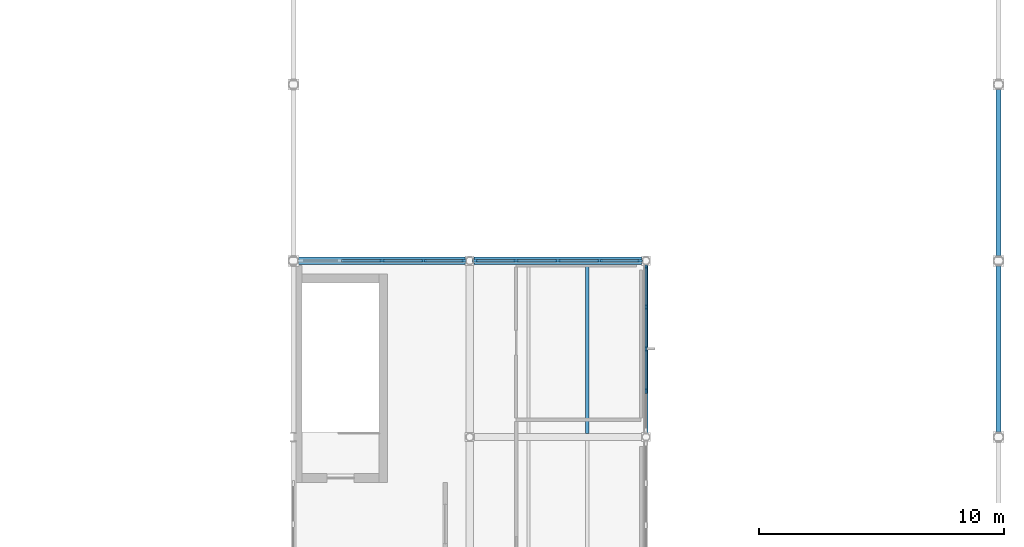
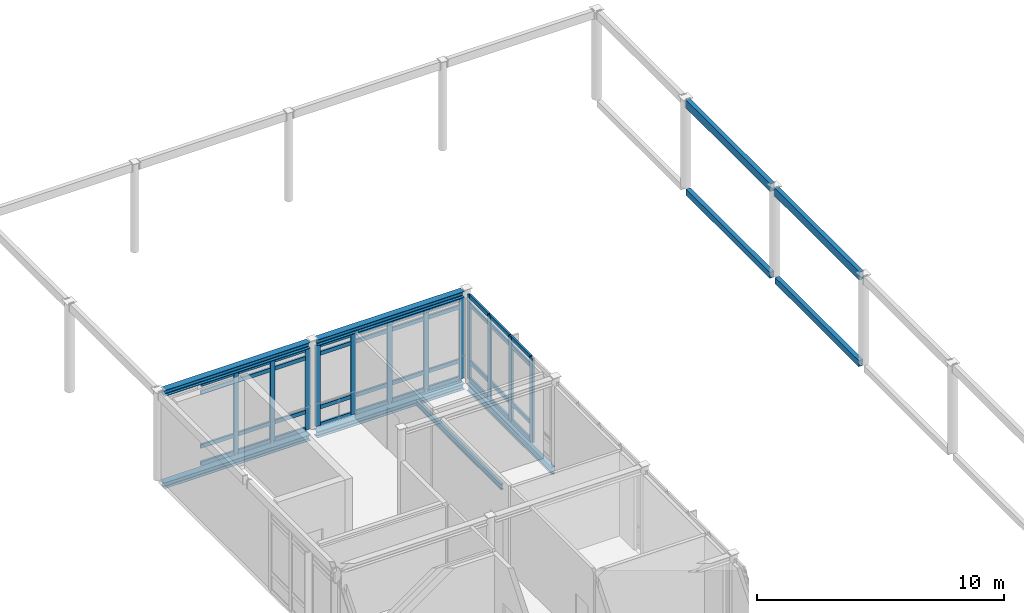
# One storey, part 26 of 72: 52 members, 10 beams, 3 elements without a shape of their own.
"""IFC4 building model written with IfcOpenShell, lengths in metres."""

from ifc_helpers import new_model, si_unit, direction, frame, origin, origin_2d, place, context, subcontext, project, spatial, rectangle, hollow_rectangle, i_section, extrude, material, layer, layer_set, material_profile, profile_set, type_object, element, aggregate, save


model = new_model("IFC4")

# Units and contexts
model_context = context("Model", 3, precision=1e-05, world=origin(), true_north=direction((0.0, 1.0)))
body_context = subcontext(model_context, "Body", "Model", "MODEL_VIEW")
ifc_project = project(units=[si_unit("LENGTHUNIT", "METRE"), si_unit("AREAUNIT", "SQUARE_METRE"), si_unit("VOLUMEUNIT", "CUBIC_METRE"), si_unit("PLANEANGLEUNIT", "RADIAN"), si_unit("MASSUNIT", "GRAM", prefix="KILO")], contexts=[model_context])

# Site, building, storey
site_placement = place(None, origin())
site = spatial("IfcSite", under=ifc_project, at=site_placement, CompositionType="ELEMENT")
building_placement = place(site_placement, origin())
building = spatial("IfcBuilding", under=site, at=building_placement, Name="Zarrinpeak Specialist Clinic", CompositionType="ELEMENT")
storey_placement = place(building_placement, frame((0.0, 0.0, 9.60009765625)))
storey = spatial("IfcBuildingStorey", under=building, at=storey_placement, Name="L02", CompositionType="ELEMENT", Elevation=9.60009765625)

# Beams
ifc_material_1 = material(Name="Steel S355", Category="steel")
ifc_material_profile_1 = material_profile(ifc_material_1, i_section(OverallWidth=0.300048828125, OverallDepth=0.2900390625, WebThickness=0.008544921875, FlangeThickness=0.013916015625, FilletRadius=0.027099609375, at=origin_2d()), Name="HEA 300")
ifc_profile_set_1 = profile_set([ifc_material_profile_1], Name="Steel S355")
beam_type_1 = type_object("IfcBeamType", Name="BM-HEA300", PredefinedType="BEAM", material=ifc_profile_set_1)
beam_1_placement = place(storey_placement, frame((93.80126953125, 57.60009765625, -0.360107421875), z_axis=(1.0, 0.0, 0.0), x_axis=(0.0, 1.0, 0.0)))
element("IfcBeam", 1, at=beam_1_placement, inside=storey, type_object=beam_type_1, Name="L02 Primary Floor Girder BM-L02-X1185", PredefinedType="BEAM", context=body_context, shape_type="SweptSolid", body=[
    extrude(i_section(OverallWidth=0.300048828125, OverallDepth=0.2900390625, WebThickness=0.008544921875, FlangeThickness=0.013916015625, FilletRadius=0.027099609375, at=origin_2d()), origin(), (0.0, 0.0, 1.0), 6.838623046875),
])
beam_2_placement = place(storey_placement, frame((100.9599609375, 57.60009765625, -0.360107421875), z_axis=(1.0, 0.0, 0.0), x_axis=(0.0, 1.0, 0.0)))
element("IfcBeam", 2, at=beam_2_placement, inside=storey, type_object=beam_type_1, Name="L02 Primary Floor Girder BM-L02-X1186", PredefinedType="BEAM", context=body_context, shape_type="SweptSolid", body=[
    extrude(i_section(OverallWidth=0.300048828125, OverallDepth=0.2900390625, WebThickness=0.008544921875, FlangeThickness=0.013916015625, FilletRadius=0.027099609375, at=origin_2d()), origin(), (0.0, 0.0, 1.0), 6.880126953125),
])
for number, where, z_axis, x_axis, name in (
    (3, (93.7900390625, 57.60009765625, 4.199951171875), (1.0, 0.0, 0.0), (0.0, 1.0, 0.0), "V3 Gallery Top Tie Beam BM-V3-TOP-2571"),
    (4, (100.989990234375, 57.60009765625, 4.199951171875), (1.0, 0.0, 0.0), (0.0, 1.0, 0.0), "V3 Gallery Top Tie Beam BM-V3-TOP-2572"),
):
    element("IfcBeam", number, at=place(storey_placement, frame(where, z_axis=z_axis, x_axis=x_axis)), inside=storey, type_object=beam_type_1, Name=name, PredefinedType="BEAM", context=body_context, shape_type="SweptSolid", body=[
        extrude(i_section(OverallWidth=0.300048828125, OverallDepth=0.2900390625, WebThickness=0.008544921875, FlangeThickness=0.013916015625, FilletRadius=0.027099609375, at=origin_2d()), origin(), (0.0, 0.0, 1.0), 6.820068359375),
    ])
ifc_material_profile_2 = material_profile(ifc_material_1, i_section(OverallWidth=0.135009765625, OverallDepth=0.27001953125, WebThickness=0.006591796875, FlangeThickness=0.01025390625, FilletRadius=0.014892578125, at=origin_2d()), Name="IPE 270")
ifc_profile_set_2 = profile_set([ifc_material_profile_2], Name="Steel S355")
beam_type_2 = type_object("IfcBeamType", Name="BM-JST270", PredefinedType="JOIST", material=ifc_profile_set_2)
beam_3_placement = place(storey_placement, frame((105.60009765625, 50.548095703125, -0.35009765625), z_axis=(0.0, 1.0, 0.0), x_axis=(-1.0, 0.0, 0.0)))
element("IfcBeam", 5, at=beam_3_placement, inside=storey, type_object=beam_type_2, Name="L02 Composite Floor Joist JST-L02-1422", PredefinedType="JOIST", context=body_context, shape_type="SweptSolid", body=[
    extrude(i_section(OverallWidth=0.135009765625, OverallDepth=0.27001953125, WebThickness=0.006591796875, FlangeThickness=0.01025390625, FilletRadius=0.014892578125, at=origin_2d()), origin(), (0.0, 0.0, 1.0), 6.90380859375),
])
ifc_material_profile_3 = material_profile(ifc_material_1, hollow_rectangle(XDim=0.199951171875, YDim=0.39990234375, WallThickness=0.01611328125, at=origin_2d()), Name="RHS 400x200x16.0")
ifc_profile_set_3 = profile_set([ifc_material_profile_3], Name="Steel S355")
beam_type_3 = type_object("IfcBeamType", Name="BM-RING400", PredefinedType="BEAM", material=ifc_profile_set_3)
beam_4_placement = place(storey_placement, frame((122.39990234375, 50.580078125, 4.199951171875), z_axis=(0.0, 1.0, 0.0), x_axis=(-1.0, 0.0, 0.0)))
element("IfcBeam", 6, at=beam_4_placement, inside=storey, type_object=beam_type_3, Name="V3 Gridshell Perimeter Ring Beam RB-V3-Y2564", PredefinedType="BEAM", context=body_context, shape_type="SweptSolid", body=[
    extrude(hollow_rectangle(XDim=0.199951171875, YDim=0.39990234375, WallThickness=0.01611328125, at=origin_2d()), origin(), (0.0, 0.0, 1.0), 6.83984375),
])
beam_5_placement = place(storey_placement, frame((122.39990234375, 57.780029296875, 4.199951171875), z_axis=(0.0, 1.0, 0.0), x_axis=(-1.0, 0.0, 0.0)))
element("IfcBeam", 7, at=beam_5_placement, inside=storey, type_object=beam_type_3, Name="V3 Gridshell Perimeter Ring Beam RB-V3-Y2565", PredefinedType="BEAM", context=body_context, shape_type="SweptSolid", body=[
    extrude(hollow_rectangle(XDim=0.199951171875, YDim=0.39990234375, WallThickness=0.01611328125, at=origin_2d()), origin(), (0.0, 0.0, 1.0), 6.840087890625),
])
ifc_material_profile_4 = material_profile(ifc_material_1, hollow_rectangle(XDim=0.199951171875, YDim=0.300048828125, WallThickness=0.012451171875, at=origin_2d()), Name="RHS 300x200x12.5")
ifc_profile_set_4 = profile_set([ifc_material_profile_4], Name="Steel S355")
beam_type_4 = type_object("IfcBeamType", Name="BM-SP300", PredefinedType="SPANDREL", material=ifc_profile_set_4)
beam_6_placement = place(storey_placement, frame((122.39990234375, 50.610107421875, -0.150146484375), z_axis=(0.0, 1.0, 0.0), x_axis=(-1.0, 0.0, 0.0)))
element("IfcBeam", 8, at=beam_6_placement, inside=storey, type_object=beam_type_4, Name="L02 V3 Hall East Spandrel Girt Y2544", PredefinedType="SPANDREL", context=body_context, shape_type="SweptSolid", body=[
    extrude(hollow_rectangle(XDim=0.199951171875, YDim=0.300048828125, WallThickness=0.012451171875, at=origin_2d()), origin(), (0.0, 0.0, 1.0), 6.77978515625),
])
beam_7_placement = place(storey_placement, frame((122.39990234375, 57.81005859375, -0.150146484375), z_axis=(0.0, 1.0, 0.0), x_axis=(-1.0, 0.0, 0.0)))
element("IfcBeam", 9, at=beam_7_placement, inside=storey, type_object=beam_type_4, Name="L02 V3 Hall East Spandrel Girt Y2545", PredefinedType="SPANDREL", context=body_context, shape_type="SweptSolid", body=[
    extrude(hollow_rectangle(XDim=0.199951171875, YDim=0.300048828125, WallThickness=0.012451171875, at=origin_2d()), origin(), (0.0, 0.0, 1.0), 6.780029296875),
])
ifc_material_profile_5 = material_profile(ifc_material_1, i_section(OverallWidth=0.169921875, OverallDepth=0.360107421875, WebThickness=0.008056640625, FlangeThickness=0.0126953125, FilletRadius=0.01806640625, at=origin_2d()), Name="IPE 360")
ifc_profile_set_5 = profile_set([ifc_material_profile_5], Name="Steel S355")
beam_type_5 = type_object("IfcBeamType", Name="BM-SP360", PredefinedType="SPANDREL", material=ifc_profile_set_5)
beam_8_placement = place(storey_placement, frame((108.0, 50.559814453125, -0.39501953125), z_axis=(0.0, 1.0, 0.0), x_axis=(-1.0, 0.0, 0.0)))
element("IfcBeam", 10, at=beam_8_placement, inside=storey, type_object=beam_type_5, Name="L02 Perimeter Spandrel Beam BM-L02-Y1330", PredefinedType="SPANDREL", context=body_context, shape_type="SweptSolid", body=[
    extrude(i_section(OverallWidth=0.169921875, OverallDepth=0.360107421875, WebThickness=0.008056640625, FlangeThickness=0.0126953125, FilletRadius=0.01806640625, at=origin_2d()), origin(), (0.0, 0.0, 1.0), 6.88037109375),
])

# Curtain wall, members
ifc_material_2 = material(Name="Anodised Aluminium Alloy 6063-T6", Category="aluminium")
ifc_layer = layer(ifc_material_2, 0.199951171875)
ifc_layer_set = layer_set([ifc_layer], Name="Anodised Aluminium Alloy 6063-T6")
curtain_wall_type = type_object("IfcCurtainWallType", Name="CW-HALL", PredefinedType="NOTDEFINED", material=ifc_layer_set)
curtain_wall_1_placement = place(storey_placement, origin())
curtain_wall_1 = element("IfcCurtainWall", 11, at=curtain_wall_1_placement, inside=storey, type_object=curtain_wall_type, Name="L02 V3 Unitised Curtain Wall CW-L02-V3-113", PredefinedType="NOTDEFINED")
ifc_material_profile_6 = material_profile(ifc_material_2, rectangle(XDim=0.090087890625, YDim=0.219970703125, at=origin_2d()), Name="ALU 90x220")
ifc_profile_set_6 = profile_set([ifc_material_profile_6], Name="Anodised Aluminium Alloy 6063-T6")
member_type_1 = type_object("IfcMemberType", Name="CWM-90", PredefinedType="MULLION", material=ifc_profile_set_6)
member_1_placement = place(storey_placement, frame((100.568115234375, 57.60009765625, 0.0), z_axis=(0.0, 0.0, 1.0), x_axis=(0.0, -1.0, 0.0)))
member_1 = element("IfcMember", 12, at=member_1_placement, type_object=member_type_1, Name="CW-02 mullion 1", PredefinedType="MULLION", context=body_context, shape_type="SweptSolid", body=[
    extrude(rectangle(XDim=0.090087890625, YDim=0.219970703125, at=origin_2d()), origin(), (0.0, 0.0, 1.0), 4.0048828125),
])
member_2_placement = place(storey_placement, frame((98.9169921875, 57.60009765625, 0.0), z_axis=(0.0, 0.0, 1.0), x_axis=(0.0, -1.0, 0.0)))
member_2 = element("IfcMember", 13, at=member_2_placement, type_object=member_type_1, Name="CW-02 mullion 2", PredefinedType="MULLION", context=body_context, shape_type="SweptSolid", body=[
    extrude(rectangle(XDim=0.090087890625, YDim=0.219970703125, at=origin_2d()), origin(), (0.0, 0.0, 1.0), 4.0048828125),
])
member_3_placement = place(storey_placement, frame((97.220703125, 57.60009765625, 0.0), z_axis=(0.0, 0.0, 1.0), x_axis=(0.0, -1.0, 0.0)))
member_3 = element("IfcMember", 14, at=member_3_placement, type_object=member_type_1, Name="CW-02 mullion 3", PredefinedType="MULLION", context=body_context, shape_type="SweptSolid", body=[
    extrude(rectangle(XDim=0.090087890625, YDim=0.219970703125, at=origin_2d()), origin(), (0.0, 0.0, 1.0), 4.0048828125),
])

curtain_wall_2_placement = place(storey_placement, origin())
curtain_wall_2 = element("IfcCurtainWall", 15, at=curtain_wall_2_placement, inside=storey, type_object=curtain_wall_type, Name="L02 V3 Unitised Curtain Wall CW-L02-V3-114", PredefinedType="NOTDEFINED")
member_4_placement = place(storey_placement, frame((107.76806640625, 57.60009765625, 0.0), z_axis=(0.0, 0.0, 1.0), x_axis=(0.0, -1.0, 0.0)))
member_4 = element("IfcMember", 16, at=member_4_placement, type_object=member_type_1, Name="CW-02 mullion 1", PredefinedType="MULLION", context=body_context, shape_type="SweptSolid", body=[
    extrude(rectangle(XDim=0.090087890625, YDim=0.219970703125, at=origin_2d()), origin(), (0.0, 0.0, 1.0), 4.0048828125),
])
member_5_placement = place(storey_placement, frame((106.1064453125, 57.60009765625, 0.0), z_axis=(0.0, 0.0, 1.0), x_axis=(0.0, -1.0, 0.0)))
member_5 = element("IfcMember", 17, at=member_5_placement, type_object=member_type_1, Name="CW-02 mullion 2", PredefinedType="MULLION", context=body_context, shape_type="SweptSolid", body=[
    extrude(rectangle(XDim=0.090087890625, YDim=0.219970703125, at=origin_2d()), origin(), (0.0, 0.0, 1.0), 4.0048828125),
])
member_6_placement = place(storey_placement, frame((104.39990234375, 57.60009765625, 0.0), z_axis=(0.0, 0.0, 1.0), x_axis=(0.0, -1.0, 0.0)))
member_6 = element("IfcMember", 18, at=member_6_placement, type_object=member_type_1, Name="CW-02 mullion 3", PredefinedType="MULLION", context=body_context, shape_type="SweptSolid", body=[
    extrude(rectangle(XDim=0.090087890625, YDim=0.219970703125, at=origin_2d()), origin(), (0.0, 0.0, 1.0), 4.0048828125),
])
member_7_placement = place(storey_placement, frame((102.693359375, 57.60009765625, 0.0), z_axis=(0.0, 0.0, 1.0), x_axis=(0.0, -1.0, 0.0)))
member_7 = element("IfcMember", 19, at=member_7_placement, type_object=member_type_1, Name="CW-02 mullion 4", PredefinedType="MULLION", context=body_context, shape_type="SweptSolid", body=[
    extrude(rectangle(XDim=0.090087890625, YDim=0.219970703125, at=origin_2d()), origin(), (0.0, 0.0, 1.0), 4.0048828125),
])
member_8_placement = place(storey_placement, frame((101.031982421875, 57.60009765625, 0.0), z_axis=(0.0, 0.0, 1.0), x_axis=(0.0, -1.0, 0.0)))
member_8 = element("IfcMember", 20, at=member_8_placement, type_object=member_type_1, Name="CW-02 mullion 5", PredefinedType="MULLION", context=body_context, shape_type="SweptSolid", body=[
    extrude(rectangle(XDim=0.090087890625, YDim=0.219970703125, at=origin_2d()), origin(), (0.0, 0.0, 1.0), 4.0048828125),
])

curtain_wall_3_placement = place(storey_placement, origin())
curtain_wall_3 = element("IfcCurtainWall", 21, at=curtain_wall_3_placement, inside=storey, type_object=curtain_wall_type, Name="L02 V3 Unitised Curtain Wall CW-L02-V3-120", PredefinedType="NOTDEFINED")
member_9_placement = place(storey_placement, frame((108.0, 52.29345703125, 0.0), z_axis=(0.0, 0.0, 1.0), x_axis=(-1.0, 0.0, 0.0)))
member_9 = element("IfcMember", 22, at=member_9_placement, type_object=member_type_1, Name="CW-02 mullion 2", PredefinedType="MULLION", context=body_context, shape_type="SweptSolid", body=[
    extrude(rectangle(XDim=0.090087890625, YDim=0.219970703125, at=origin_2d()), origin(), (0.0, 0.0, 1.0), 4.179931640625),
])
member_10_placement = place(storey_placement, frame((108.0, 54.0, 0.0), z_axis=(0.0, 0.0, 1.0), x_axis=(-1.0, 0.0, 0.0)))
member_10 = element("IfcMember", 23, at=member_10_placement, type_object=member_type_1, Name="CW-02 mullion 3", PredefinedType="MULLION", context=body_context, shape_type="SweptSolid", body=[
    extrude(rectangle(XDim=0.090087890625, YDim=0.219970703125, at=origin_2d()), origin(), (0.0, 0.0, 1.0), 4.179931640625),
])
member_11_placement = place(storey_placement, frame((108.0, 55.70654296875, 0.0), z_axis=(0.0, 0.0, 1.0), x_axis=(-1.0, 0.0, 0.0)))
member_11 = element("IfcMember", 24, at=member_11_placement, type_object=member_type_1, Name="CW-02 mullion 4", PredefinedType="MULLION", context=body_context, shape_type="SweptSolid", body=[
    extrude(rectangle(XDim=0.090087890625, YDim=0.219970703125, at=origin_2d()), origin(), (0.0, 0.0, 1.0), 4.179931640625),
])
member_12_placement = place(storey_placement, frame((108.0, 57.367919921875, 0.0), z_axis=(0.0, 0.0, 1.0), x_axis=(-1.0, 0.0, 0.0)))
member_12 = element("IfcMember", 25, at=member_12_placement, type_object=member_type_1, Name="CW-02 mullion 5", PredefinedType="MULLION", context=body_context, shape_type="SweptSolid", body=[
    extrude(rectangle(XDim=0.090087890625, YDim=0.219970703125, at=origin_2d()), origin(), (0.0, 0.0, 1.0), 4.179931640625),
])

# Member
ifc_material_profile_7 = material_profile(ifc_material_2, rectangle(XDim=0.090087890625, YDim=0.18994140625, at=origin_2d()), Name="ALU 90x190")
ifc_profile_set_7 = profile_set([ifc_material_profile_7], Name="Anodised Aluminium Alloy 6063-T6")
member_type_2 = type_object("IfcMemberType", Name="CWT-90", PredefinedType="USERDEFINED", material=ifc_profile_set_7)
member_13_placement = place(storey_placement, frame((100.523193359375, 57.60009765625, 0.044921875), z_axis=(-1.0, 0.0, 0.0), x_axis=(0.0, -1.0, 0.0)))
member_13 = element("IfcMember", 26, at=member_13_placement, type_object=member_type_2, Name="CW-02 transom 1.1", ObjectType="TRANSOM", PredefinedType="USERDEFINED", context=body_context, shape_type="SweptSolid", body=[
    extrude(rectangle(XDim=0.090087890625, YDim=0.18994140625, at=origin_2d()), origin(), (0.0, 0.0, 1.0), 1.561279296875),
])

member_14_placement = place(storey_placement, frame((100.523193359375, 57.60009765625, 0.89990234375), z_axis=(-1.0, 0.0, 0.0), x_axis=(0.0, -1.0, 0.0)))
member_14 = element("IfcMember", 27, at=member_14_placement, type_object=member_type_2, Name="CW-02 transom 1.2", ObjectType="TRANSOM", PredefinedType="USERDEFINED", context=body_context, shape_type="SweptSolid", body=[
    extrude(rectangle(XDim=0.090087890625, YDim=0.18994140625, at=origin_2d()), origin(), (0.0, 0.0, 1.0), 1.561279296875),
])

member_15_placement = place(storey_placement, frame((100.523193359375, 57.60009765625, 3.554931640625), z_axis=(-1.0, 0.0, 0.0), x_axis=(0.0, -1.0, 0.0)))
member_15 = element("IfcMember", 28, at=member_15_placement, type_object=member_type_2, Name="CW-02 transom 1.3", ObjectType="TRANSOM", PredefinedType="USERDEFINED", context=body_context, shape_type="SweptSolid", body=[
    extrude(rectangle(XDim=0.090087890625, YDim=0.18994140625, at=origin_2d()), origin(), (0.0, 0.0, 1.0), 1.561279296875),
])

member_16_placement = place(storey_placement, frame((100.523193359375, 57.60009765625, 3.9599609375), z_axis=(-1.0, 0.0, 0.0), x_axis=(0.0, -1.0, 0.0)))
member_16 = element("IfcMember", 29, at=member_16_placement, type_object=member_type_2, Name="CW-02 transom 1.4", ObjectType="TRANSOM", PredefinedType="USERDEFINED", context=body_context, shape_type="SweptSolid", body=[
    extrude(rectangle(XDim=0.090087890625, YDim=0.18994140625, at=origin_2d()), origin(), (0.0, 0.0, 1.0), 1.561279296875),
])

member_17_placement = place(storey_placement, frame((98.871826171875, 57.60009765625, 0.044921875), z_axis=(-1.0, 0.0, 0.0), x_axis=(0.0, -1.0, 0.0)))
member_17 = element("IfcMember", 30, at=member_17_placement, type_object=member_type_2, Name="CW-02 transom 2.1", ObjectType="TRANSOM", PredefinedType="USERDEFINED", context=body_context, shape_type="SweptSolid", body=[
    extrude(rectangle(XDim=0.090087890625, YDim=0.18994140625, at=origin_2d()), origin(), (0.0, 0.0, 1.0), 1.606201171875),
])

member_18_placement = place(storey_placement, frame((98.871826171875, 57.60009765625, 0.89990234375), z_axis=(-1.0, 0.0, 0.0), x_axis=(0.0, -1.0, 0.0)))
member_18 = element("IfcMember", 31, at=member_18_placement, type_object=member_type_2, Name="CW-02 transom 2.2", ObjectType="TRANSOM", PredefinedType="USERDEFINED", context=body_context, shape_type="SweptSolid", body=[
    extrude(rectangle(XDim=0.090087890625, YDim=0.18994140625, at=origin_2d()), origin(), (0.0, 0.0, 1.0), 1.606201171875),
])

member_19_placement = place(storey_placement, frame((98.871826171875, 57.60009765625, 3.554931640625), z_axis=(-1.0, 0.0, 0.0), x_axis=(0.0, -1.0, 0.0)))
member_19 = element("IfcMember", 32, at=member_19_placement, type_object=member_type_2, Name="CW-02 transom 2.3", ObjectType="TRANSOM", PredefinedType="USERDEFINED", context=body_context, shape_type="SweptSolid", body=[
    extrude(rectangle(XDim=0.090087890625, YDim=0.18994140625, at=origin_2d()), origin(), (0.0, 0.0, 1.0), 1.606201171875),
])

member_20_placement = place(storey_placement, frame((98.871826171875, 57.60009765625, 3.9599609375), z_axis=(-1.0, 0.0, 0.0), x_axis=(0.0, -1.0, 0.0)))
member_20 = element("IfcMember", 33, at=member_20_placement, type_object=member_type_2, Name="CW-02 transom 2.4", ObjectType="TRANSOM", PredefinedType="USERDEFINED", context=body_context, shape_type="SweptSolid", body=[
    extrude(rectangle(XDim=0.090087890625, YDim=0.18994140625, at=origin_2d()), origin(), (0.0, 0.0, 1.0), 1.606201171875),
])

member_21_placement = place(storey_placement, frame((97.175537109375, 57.60009765625, 0.044921875), z_axis=(-1.0, 0.0, 0.0), x_axis=(0.0, -1.0, 0.0)))
member_21 = element("IfcMember", 34, at=member_21_placement, type_object=member_type_2, Name="CW-02 transom 3.1", ObjectType="TRANSOM", PredefinedType="USERDEFINED", context=body_context, shape_type="SweptSolid", body=[
    extrude(rectangle(XDim=0.090087890625, YDim=0.18994140625, at=origin_2d()), origin(), (0.0, 0.0, 1.0), 1.606201171875),
])

member_22_placement = place(storey_placement, frame((97.175537109375, 57.60009765625, 0.89990234375), z_axis=(-1.0, 0.0, 0.0), x_axis=(0.0, -1.0, 0.0)))
member_22 = element("IfcMember", 35, at=member_22_placement, type_object=member_type_2, Name="CW-02 transom 3.2", ObjectType="TRANSOM", PredefinedType="USERDEFINED", context=body_context, shape_type="SweptSolid", body=[
    extrude(rectangle(XDim=0.090087890625, YDim=0.18994140625, at=origin_2d()), origin(), (0.0, 0.0, 1.0), 1.606201171875),
])

member_23_placement = place(storey_placement, frame((97.175537109375, 57.60009765625, 3.554931640625), z_axis=(-1.0, 0.0, 0.0), x_axis=(0.0, -1.0, 0.0)))
member_23 = element("IfcMember", 36, at=member_23_placement, type_object=member_type_2, Name="CW-02 transom 3.3", ObjectType="TRANSOM", PredefinedType="USERDEFINED", context=body_context, shape_type="SweptSolid", body=[
    extrude(rectangle(XDim=0.090087890625, YDim=0.18994140625, at=origin_2d()), origin(), (0.0, 0.0, 1.0), 1.606201171875),
])

member_24_placement = place(storey_placement, frame((97.175537109375, 57.60009765625, 3.9599609375), z_axis=(-1.0, 0.0, 0.0), x_axis=(0.0, -1.0, 0.0)))
member_24 = element("IfcMember", 37, at=member_24_placement, type_object=member_type_2, Name="CW-02 transom 3.4", ObjectType="TRANSOM", PredefinedType="USERDEFINED", context=body_context, shape_type="SweptSolid", body=[
    extrude(rectangle(XDim=0.090087890625, YDim=0.18994140625, at=origin_2d()), origin(), (0.0, 0.0, 1.0), 1.606201171875),
])

aggregate(curtain_wall_1, [member_1, member_2, member_3, member_13, member_14, member_15, member_16, member_17, member_18, member_19, member_20, member_21, member_22, member_23, member_24])

member_25_placement = place(storey_placement, frame((107.72314453125, 57.60009765625, 0.044921875), z_axis=(-1.0, 0.0, 0.0), x_axis=(0.0, -1.0, 0.0)))
member_25 = element("IfcMember", 38, at=member_25_placement, type_object=member_type_2, Name="CW-02 transom 1.1", ObjectType="TRANSOM", PredefinedType="USERDEFINED", context=body_context, shape_type="SweptSolid", body=[
    extrude(rectangle(XDim=0.090087890625, YDim=0.18994140625, at=origin_2d()), origin(), (0.0, 0.0, 1.0), 1.571533203125),
])

member_26_placement = place(storey_placement, frame((107.72314453125, 57.60009765625, 0.89990234375), z_axis=(-1.0, 0.0, 0.0), x_axis=(0.0, -1.0, 0.0)))
member_26 = element("IfcMember", 39, at=member_26_placement, type_object=member_type_2, Name="CW-02 transom 1.2", ObjectType="TRANSOM", PredefinedType="USERDEFINED", context=body_context, shape_type="SweptSolid", body=[
    extrude(rectangle(XDim=0.090087890625, YDim=0.18994140625, at=origin_2d()), origin(), (0.0, 0.0, 1.0), 1.571533203125),
])

member_27_placement = place(storey_placement, frame((107.72314453125, 57.60009765625, 3.554931640625), z_axis=(-1.0, 0.0, 0.0), x_axis=(0.0, -1.0, 0.0)))
member_27 = element("IfcMember", 40, at=member_27_placement, type_object=member_type_2, Name="CW-02 transom 1.3", ObjectType="TRANSOM", PredefinedType="USERDEFINED", context=body_context, shape_type="SweptSolid", body=[
    extrude(rectangle(XDim=0.090087890625, YDim=0.18994140625, at=origin_2d()), origin(), (0.0, 0.0, 1.0), 1.571533203125),
])

member_28_placement = place(storey_placement, frame((107.72314453125, 57.60009765625, 3.9599609375), z_axis=(-1.0, 0.0, 0.0), x_axis=(0.0, -1.0, 0.0)))
member_28 = element("IfcMember", 41, at=member_28_placement, type_object=member_type_2, Name="CW-02 transom 1.4", ObjectType="TRANSOM", PredefinedType="USERDEFINED", context=body_context, shape_type="SweptSolid", body=[
    extrude(rectangle(XDim=0.090087890625, YDim=0.18994140625, at=origin_2d()), origin(), (0.0, 0.0, 1.0), 1.571533203125),
])

member_29_placement = place(storey_placement, frame((106.0615234375, 57.60009765625, 0.044921875), z_axis=(-1.0, 0.0, 0.0), x_axis=(0.0, -1.0, 0.0)))
member_29 = element("IfcMember", 42, at=member_29_placement, type_object=member_type_2, Name="CW-02 transom 2.1", ObjectType="TRANSOM", PredefinedType="USERDEFINED", context=body_context, shape_type="SweptSolid", body=[
    extrude(rectangle(XDim=0.090087890625, YDim=0.18994140625, at=origin_2d()), origin(), (0.0, 0.0, 1.0), 1.616455078125),
])

member_30_placement = place(storey_placement, frame((106.0615234375, 57.60009765625, 0.89990234375), z_axis=(-1.0, 0.0, 0.0), x_axis=(0.0, -1.0, 0.0)))
member_30 = element("IfcMember", 43, at=member_30_placement, type_object=member_type_2, Name="CW-02 transom 2.2", ObjectType="TRANSOM", PredefinedType="USERDEFINED", context=body_context, shape_type="SweptSolid", body=[
    extrude(rectangle(XDim=0.090087890625, YDim=0.18994140625, at=origin_2d()), origin(), (0.0, 0.0, 1.0), 1.616455078125),
])

member_31_placement = place(storey_placement, frame((106.0615234375, 57.60009765625, 3.554931640625), z_axis=(-1.0, 0.0, 0.0), x_axis=(0.0, -1.0, 0.0)))
member_31 = element("IfcMember", 44, at=member_31_placement, type_object=member_type_2, Name="CW-02 transom 2.3", ObjectType="TRANSOM", PredefinedType="USERDEFINED", context=body_context, shape_type="SweptSolid", body=[
    extrude(rectangle(XDim=0.090087890625, YDim=0.18994140625, at=origin_2d()), origin(), (0.0, 0.0, 1.0), 1.616455078125),
])

member_32_placement = place(storey_placement, frame((106.0615234375, 57.60009765625, 3.9599609375), z_axis=(-1.0, 0.0, 0.0), x_axis=(0.0, -1.0, 0.0)))
member_32 = element("IfcMember", 45, at=member_32_placement, type_object=member_type_2, Name="CW-02 transom 2.4", ObjectType="TRANSOM", PredefinedType="USERDEFINED", context=body_context, shape_type="SweptSolid", body=[
    extrude(rectangle(XDim=0.090087890625, YDim=0.18994140625, at=origin_2d()), origin(), (0.0, 0.0, 1.0), 1.616455078125),
])

member_33_placement = place(storey_placement, frame((104.35498046875, 57.60009765625, 0.044921875), z_axis=(-1.0, 0.0, 0.0), x_axis=(0.0, -1.0, 0.0)))
member_33 = element("IfcMember", 46, at=member_33_placement, type_object=member_type_2, Name="CW-02 transom 3.1", ObjectType="TRANSOM", PredefinedType="USERDEFINED", context=body_context, shape_type="SweptSolid", body=[
    extrude(rectangle(XDim=0.090087890625, YDim=0.18994140625, at=origin_2d()), origin(), (0.0, 0.0, 1.0), 1.616455078125),
])

member_34_placement = place(storey_placement, frame((104.35498046875, 57.60009765625, 0.89990234375), z_axis=(-1.0, 0.0, 0.0), x_axis=(0.0, -1.0, 0.0)))
member_34 = element("IfcMember", 47, at=member_34_placement, type_object=member_type_2, Name="CW-02 transom 3.2", ObjectType="TRANSOM", PredefinedType="USERDEFINED", context=body_context, shape_type="SweptSolid", body=[
    extrude(rectangle(XDim=0.090087890625, YDim=0.18994140625, at=origin_2d()), origin(), (0.0, 0.0, 1.0), 1.616455078125),
])

member_35_placement = place(storey_placement, frame((104.35498046875, 57.60009765625, 3.554931640625), z_axis=(-1.0, 0.0, 0.0), x_axis=(0.0, -1.0, 0.0)))
member_35 = element("IfcMember", 48, at=member_35_placement, type_object=member_type_2, Name="CW-02 transom 3.3", ObjectType="TRANSOM", PredefinedType="USERDEFINED", context=body_context, shape_type="SweptSolid", body=[
    extrude(rectangle(XDim=0.090087890625, YDim=0.18994140625, at=origin_2d()), origin(), (0.0, 0.0, 1.0), 1.616455078125),
])

member_36_placement = place(storey_placement, frame((104.35498046875, 57.60009765625, 3.9599609375), z_axis=(-1.0, 0.0, 0.0), x_axis=(0.0, -1.0, 0.0)))
member_36 = element("IfcMember", 49, at=member_36_placement, type_object=member_type_2, Name="CW-02 transom 3.4", ObjectType="TRANSOM", PredefinedType="USERDEFINED", context=body_context, shape_type="SweptSolid", body=[
    extrude(rectangle(XDim=0.090087890625, YDim=0.18994140625, at=origin_2d()), origin(), (0.0, 0.0, 1.0), 1.616455078125),
])

member_37_placement = place(storey_placement, frame((102.6484375, 57.60009765625, 0.044921875), z_axis=(-1.0, 0.0, 0.0), x_axis=(0.0, -1.0, 0.0)))
member_37 = element("IfcMember", 50, at=member_37_placement, type_object=member_type_2, Name="CW-02 transom 4.1", ObjectType="TRANSOM", PredefinedType="USERDEFINED", context=body_context, shape_type="SweptSolid", body=[
    extrude(rectangle(XDim=0.090087890625, YDim=0.18994140625, at=origin_2d()), origin(), (0.0, 0.0, 1.0), 1.571533203125),
])

member_38_placement = place(storey_placement, frame((102.6484375, 57.60009765625, 0.89990234375), z_axis=(-1.0, 0.0, 0.0), x_axis=(0.0, -1.0, 0.0)))
member_38 = element("IfcMember", 51, at=member_38_placement, type_object=member_type_2, Name="CW-02 transom 4.2", ObjectType="TRANSOM", PredefinedType="USERDEFINED", context=body_context, shape_type="SweptSolid", body=[
    extrude(rectangle(XDim=0.090087890625, YDim=0.18994140625, at=origin_2d()), origin(), (0.0, 0.0, 1.0), 1.571533203125),
])

member_39_placement = place(storey_placement, frame((102.6484375, 57.60009765625, 3.554931640625), z_axis=(-1.0, 0.0, 0.0), x_axis=(0.0, -1.0, 0.0)))
member_39 = element("IfcMember", 52, at=member_39_placement, type_object=member_type_2, Name="CW-02 transom 4.3", ObjectType="TRANSOM", PredefinedType="USERDEFINED", context=body_context, shape_type="SweptSolid", body=[
    extrude(rectangle(XDim=0.090087890625, YDim=0.18994140625, at=origin_2d()), origin(), (0.0, 0.0, 1.0), 1.571533203125),
])

member_40_placement = place(storey_placement, frame((102.6484375, 57.60009765625, 3.9599609375), z_axis=(-1.0, 0.0, 0.0), x_axis=(0.0, -1.0, 0.0)))
member_40 = element("IfcMember", 53, at=member_40_placement, type_object=member_type_2, Name="CW-02 transom 4.4", ObjectType="TRANSOM", PredefinedType="USERDEFINED", context=body_context, shape_type="SweptSolid", body=[
    extrude(rectangle(XDim=0.090087890625, YDim=0.18994140625, at=origin_2d()), origin(), (0.0, 0.0, 1.0), 1.571533203125),
])

aggregate(curtain_wall_2, [member_4, member_5, member_6, member_7, member_8, member_25, member_26, member_27, member_28, member_29, member_30, member_31, member_32, member_33, member_34, member_35, member_36, member_37, member_38, member_39, member_40])

member_41_placement = place(storey_placement, frame((108.0, 52.33837890625, 0.044921875), z_axis=(0.0, 1.0, 0.0), x_axis=(-1.0, 0.0, 0.0)))
member_41 = element("IfcMember", 54, at=member_41_placement, type_object=member_type_2, Name="CW-02 transom 2.1", ObjectType="TRANSOM", PredefinedType="USERDEFINED", context=body_context, shape_type="SweptSolid", body=[
    extrude(rectangle(XDim=0.090087890625, YDim=0.18994140625, at=origin_2d()), origin(), (0.0, 0.0, 1.0), 1.61669921875),
])

member_42_placement = place(storey_placement, frame((108.0, 52.33837890625, 0.89990234375), z_axis=(0.0, 1.0, 0.0), x_axis=(-1.0, 0.0, 0.0)))
member_42 = element("IfcMember", 55, at=member_42_placement, type_object=member_type_2, Name="CW-02 transom 2.2", ObjectType="TRANSOM", PredefinedType="USERDEFINED", context=body_context, shape_type="SweptSolid", body=[
    extrude(rectangle(XDim=0.090087890625, YDim=0.18994140625, at=origin_2d()), origin(), (0.0, 0.0, 1.0), 1.61669921875),
])

member_43_placement = place(storey_placement, frame((108.0, 52.33837890625, 3.72998046875), z_axis=(0.0, 1.0, 0.0), x_axis=(-1.0, 0.0, 0.0)))
member_43 = element("IfcMember", 56, at=member_43_placement, type_object=member_type_2, Name="CW-02 transom 2.3", ObjectType="TRANSOM", PredefinedType="USERDEFINED", context=body_context, shape_type="SweptSolid", body=[
    extrude(rectangle(XDim=0.090087890625, YDim=0.18994140625, at=origin_2d()), origin(), (0.0, 0.0, 1.0), 1.61669921875),
])

member_44_placement = place(storey_placement, frame((108.0, 52.33837890625, 4.135009765625), z_axis=(0.0, 1.0, 0.0), x_axis=(-1.0, 0.0, 0.0)))
member_44 = element("IfcMember", 57, at=member_44_placement, type_object=member_type_2, Name="CW-02 transom 2.4", ObjectType="TRANSOM", PredefinedType="USERDEFINED", context=body_context, shape_type="SweptSolid", body=[
    extrude(rectangle(XDim=0.090087890625, YDim=0.18994140625, at=origin_2d()), origin(), (0.0, 0.0, 1.0), 1.61669921875),
])

member_45_placement = place(storey_placement, frame((108.0, 54.044921875, 0.044921875), z_axis=(0.0, 1.0, 0.0), x_axis=(-1.0, 0.0, 0.0)))
member_45 = element("IfcMember", 58, at=member_45_placement, type_object=member_type_2, Name="CW-02 transom 3.1", ObjectType="TRANSOM", PredefinedType="USERDEFINED", context=body_context, shape_type="SweptSolid", body=[
    extrude(rectangle(XDim=0.090087890625, YDim=0.18994140625, at=origin_2d()), origin(), (0.0, 0.0, 1.0), 1.61669921875),
])

member_46_placement = place(storey_placement, frame((108.0, 54.044921875, 0.89990234375), z_axis=(0.0, 1.0, 0.0), x_axis=(-1.0, 0.0, 0.0)))
member_46 = element("IfcMember", 59, at=member_46_placement, type_object=member_type_2, Name="CW-02 transom 3.2", ObjectType="TRANSOM", PredefinedType="USERDEFINED", context=body_context, shape_type="SweptSolid", body=[
    extrude(rectangle(XDim=0.090087890625, YDim=0.18994140625, at=origin_2d()), origin(), (0.0, 0.0, 1.0), 1.61669921875),
])

member_47_placement = place(storey_placement, frame((108.0, 54.044921875, 3.72998046875), z_axis=(0.0, 1.0, 0.0), x_axis=(-1.0, 0.0, 0.0)))
member_47 = element("IfcMember", 60, at=member_47_placement, type_object=member_type_2, Name="CW-02 transom 3.3", ObjectType="TRANSOM", PredefinedType="USERDEFINED", context=body_context, shape_type="SweptSolid", body=[
    extrude(rectangle(XDim=0.090087890625, YDim=0.18994140625, at=origin_2d()), origin(), (0.0, 0.0, 1.0), 1.61669921875),
])

member_48_placement = place(storey_placement, frame((108.0, 54.044921875, 4.135009765625), z_axis=(0.0, 1.0, 0.0), x_axis=(-1.0, 0.0, 0.0)))
member_48 = element("IfcMember", 61, at=member_48_placement, type_object=member_type_2, Name="CW-02 transom 3.4", ObjectType="TRANSOM", PredefinedType="USERDEFINED", context=body_context, shape_type="SweptSolid", body=[
    extrude(rectangle(XDim=0.090087890625, YDim=0.18994140625, at=origin_2d()), origin(), (0.0, 0.0, 1.0), 1.61669921875),
])

member_49_placement = place(storey_placement, frame((108.0, 55.75146484375, 0.044921875), z_axis=(0.0, 1.0, 0.0), x_axis=(-1.0, 0.0, 0.0)))
member_49 = element("IfcMember", 62, at=member_49_placement, type_object=member_type_2, Name="CW-02 transom 4.1", ObjectType="TRANSOM", PredefinedType="USERDEFINED", context=body_context, shape_type="SweptSolid", body=[
    extrude(rectangle(XDim=0.090087890625, YDim=0.18994140625, at=origin_2d()), origin(), (0.0, 0.0, 1.0), 1.571533203125),
])

member_50_placement = place(storey_placement, frame((108.0, 55.75146484375, 0.89990234375), z_axis=(0.0, 1.0, 0.0), x_axis=(-1.0, 0.0, 0.0)))
member_50 = element("IfcMember", 63, at=member_50_placement, type_object=member_type_2, Name="CW-02 transom 4.2", ObjectType="TRANSOM", PredefinedType="USERDEFINED", context=body_context, shape_type="SweptSolid", body=[
    extrude(rectangle(XDim=0.090087890625, YDim=0.18994140625, at=origin_2d()), origin(), (0.0, 0.0, 1.0), 1.571533203125),
])

member_51_placement = place(storey_placement, frame((108.0, 55.75146484375, 3.72998046875), z_axis=(0.0, 1.0, 0.0), x_axis=(-1.0, 0.0, 0.0)))
member_51 = element("IfcMember", 64, at=member_51_placement, type_object=member_type_2, Name="CW-02 transom 4.3", ObjectType="TRANSOM", PredefinedType="USERDEFINED", context=body_context, shape_type="SweptSolid", body=[
    extrude(rectangle(XDim=0.090087890625, YDim=0.18994140625, at=origin_2d()), origin(), (0.0, 0.0, 1.0), 1.571533203125),
])

member_52_placement = place(storey_placement, frame((108.0, 55.75146484375, 4.135009765625), z_axis=(0.0, 1.0, 0.0), x_axis=(-1.0, 0.0, 0.0)))
member_52 = element("IfcMember", 65, at=member_52_placement, type_object=member_type_2, Name="CW-02 transom 4.4", ObjectType="TRANSOM", PredefinedType="USERDEFINED", context=body_context, shape_type="SweptSolid", body=[
    extrude(rectangle(XDim=0.090087890625, YDim=0.18994140625, at=origin_2d()), origin(), (0.0, 0.0, 1.0), 1.571533203125),
])

aggregate(curtain_wall_3, [member_9, member_10, member_11, member_12, member_41, member_42, member_43, member_44, member_45, member_46, member_47, member_48, member_49, member_50, member_51, member_52])

save(model, "model.ifc")
